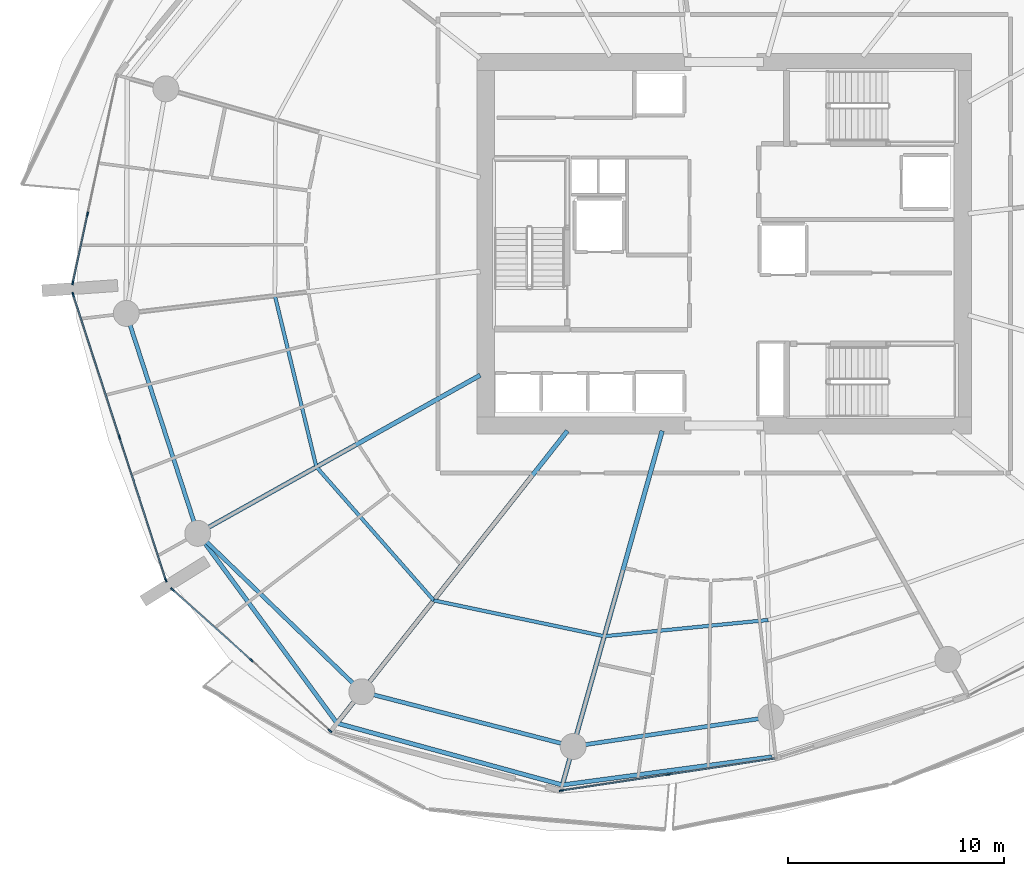
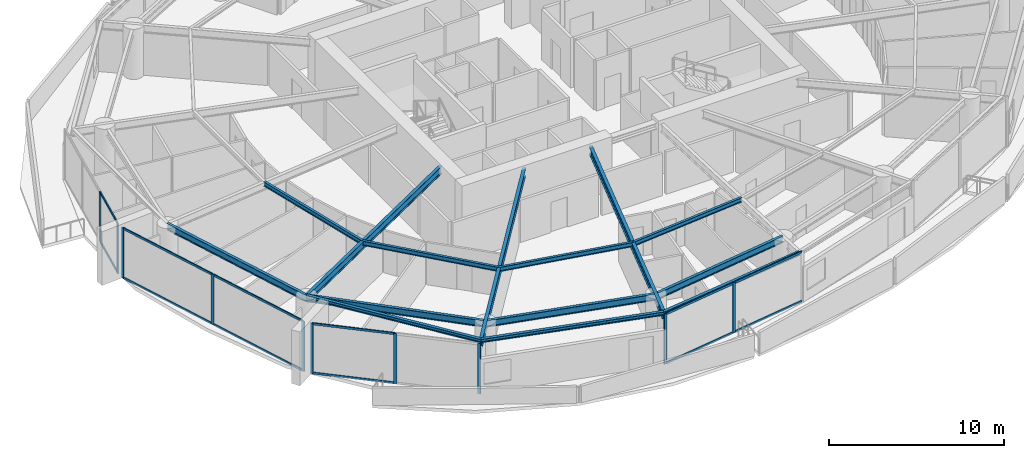
# One storey, part 5 of 23: 22 members, 14 beams, 4 elements without a shape of their own.
"""IFC4 building model written with IfcOpenShell, lengths in metres."""

from ifc_helpers import new_model, si_unit, direction, frame, origin, origin_2d, place, context, subcontext, project, spatial, rectangle, i_section, extrude, material, layer, layer_set, material_profile, profile_set, type_object, element, aggregate, save


model = new_model("IFC4")

# Units and contexts
model_context = context("Model", 3, precision=1e-05, world=origin(), true_north=direction((0.0, 1.0)))
body_context = subcontext(model_context, "Body", "Model", "MODEL_VIEW")
ifc_project = project(units=[si_unit("LENGTHUNIT", "METRE"), si_unit("AREAUNIT", "SQUARE_METRE"), si_unit("VOLUMEUNIT", "CUBIC_METRE"), si_unit("PLANEANGLEUNIT", "RADIAN"), si_unit("MASSUNIT", "GRAM", prefix="KILO")], contexts=[model_context])

# Site, building, storey
site_placement = place(None, origin())
site = spatial("IfcSite", under=ifc_project, at=site_placement, CompositionType="ELEMENT")
building_placement = place(site_placement, origin())
building = spatial("IfcBuilding", under=site, at=building_placement, Name="Kazma Halo Residences", CompositionType="ELEMENT")
storey_placement = place(building_placement, frame((0.0, 0.0, 101.39990234375)))
storey = spatial("IfcBuildingStorey", under=building, at=storey_placement, Name="L25", CompositionType="ELEMENT", Elevation=101.39990234375)

# Beams
ifc_material_1 = material(Name="Steel S355", Category="steel")
ifc_material_profile_1 = material_profile(ifc_material_1, i_section(OverallWidth=0.201904296875, OverallDepth=0.2470703125, WebThickness=0.00732421875, FlangeThickness=0.010986328125, FilletRadius=0.011962890625, at=origin_2d()), Name="W250x49.1")
ifc_profile_set_1 = profile_set([ifc_material_profile_1], Name="Steel S355")
beam_type_1 = type_object("IfcBeamType", Name="BM-BAL-CANT", PredefinedType="BEAM", material=ifc_profile_set_1)
beam_1_placement = place(storey_placement, frame((24.0966796875, 28.613525390625, 3.376708984375), z_axis=(0.59144927253, -0.806342209005, 0.0), x_axis=(0.806342209005, 0.59144927253, 0.0)))
element("IfcBeam", 1, at=beam_1_placement, inside=storey, type_object=beam_type_1, Name="L25 wave-balcony lead tie beam 09", PredefinedType="BEAM", context=body_context, shape_type="SweptSolid", body=[
    extrude(i_section(OverallWidth=0.201904296875, OverallDepth=0.2470703125, WebThickness=0.00732421875, FlangeThickness=0.010986328125, FilletRadius=0.011962890625, at=origin_2d()), origin(), (0.0, 0.0, 1.0), 10.87939453125),
])
beam_2_placement = place(storey_placement, frame((30.53125, 19.841064453125, 3.376708984375), z_axis=(0.964396617, -0.264460139, 0.0), x_axis=(0.264460139, 0.964396617, 0.0)))
element("IfcBeam", 2, at=beam_2_placement, inside=storey, type_object=beam_type_1, Name="L25 wave-balcony tie beam 10", PredefinedType="BEAM", context=body_context, shape_type="SweptSolid", body=[
    extrude(i_section(OverallWidth=0.201904296875, OverallDepth=0.2470703125, WebThickness=0.00732421875, FlangeThickness=0.010986328125, FilletRadius=0.011962890625, at=origin_2d()), origin(), (0.0, 0.0, 1.0), 10.79833984375),
])
beam_3_placement = place(storey_placement, frame((40.945068359375, 16.9853515625, 3.376708984375), z_axis=(0.991182511795, 0.13250369169, 0.0), x_axis=(-0.13250369169, 0.991182511795, 0.0)))
element("IfcBeam", 3, at=beam_3_placement, inside=storey, type_object=beam_type_1, Name="L25 wave-balcony tie beam 11", PredefinedType="BEAM", context=body_context, shape_type="SweptSolid", body=[
    extrude(i_section(OverallWidth=0.201904296875, OverallDepth=0.2470703125, WebThickness=0.00732421875, FlangeThickness=0.010986328125, FilletRadius=0.011962890625, at=origin_2d()), origin(), (0.0, 0.0, 1.0), 9.78369140625),
])
ifc_material_profile_2 = material_profile(ifc_material_1, i_section(OverallWidth=0.208984375, OverallDepth=0.532958984375, WebThickness=0.01025390625, FlangeThickness=0.015625, FilletRadius=0.01611328125, at=origin_2d()), Name="W530x92")
ifc_profile_set_2 = profile_set([ifc_material_profile_2], Name="Steel S355")
beam_type_2 = type_object("IfcBeamType", Name="BM-RAD-W530", PredefinedType="BEAM", material=ifc_profile_set_2)
beam_4_placement = place(storey_placement, frame((37.14990234375, 35.923583984375, 3.233642578125), z_axis=(-0.87249878074, -0.488616288724, 0.0), x_axis=(0.488616288724, -0.87249878074, 0.0)))
element("IfcBeam", 4, at=beam_4_placement, inside=storey, type_object=beam_type_2, Name="L25 radial floor beam 09", PredefinedType="BEAM", context=body_context, shape_type="SweptSolid", body=[
    extrude(i_section(OverallWidth=0.208984375, OverallDepth=0.532958984375, WebThickness=0.01025390625, FlangeThickness=0.015625, FilletRadius=0.01611328125, at=origin_2d()), origin(), (0.0, 0.0, 1.0), 14.960693359375),
])
beam_5_placement = place(storey_placement, frame((41.180908203125, 33.35009765625, 3.233642578125), z_axis=(-0.619093774822, -0.785317068436, 0.0), x_axis=(0.785317068436, -0.619093774822, 0.0)))
element("IfcBeam", 5, at=beam_5_placement, inside=storey, type_object=beam_type_2, Name="L25 radial floor beam 10", PredefinedType="BEAM", context=body_context, shape_type="SweptSolid", body=[
    extrude(i_section(OverallWidth=0.208984375, OverallDepth=0.532958984375, WebThickness=0.01025390625, FlangeThickness=0.015625, FilletRadius=0.01611328125, at=origin_2d()), origin(), (0.0, 0.0, 1.0), 17.201904296875),
])
beam_6_placement = place(storey_placement, frame((45.560302734375, 33.35009765625, 3.233642578125), z_axis=(-0.271434928076, -0.962456793742, 0.0), x_axis=(0.962456793742, -0.271434928076, 0.0)))
element("IfcBeam", 6, at=beam_6_placement, inside=storey, type_object=beam_type_2, Name="L25 radial floor beam 11", PredefinedType="BEAM", context=body_context, shape_type="SweptSolid", body=[
    extrude(i_section(OverallWidth=0.208984375, OverallDepth=0.532958984375, WebThickness=0.01025390625, FlangeThickness=0.015625, FilletRadius=0.01611328125, at=origin_2d()), origin(), (0.0, 0.0, 1.0), 17.003173828125),
])
ifc_material_profile_3 = material_profile(ifc_material_1, i_section(OverallWidth=0.1650390625, OverallDepth=0.31005859375, WebThickness=0.005859375, FlangeThickness=0.009765625, FilletRadius=0.011962890625, at=origin_2d()), Name="W310x38.7")
ifc_profile_set_3 = profile_set([ifc_material_profile_3], Name="Steel S355")
beam_type_3 = type_object("IfcBeamType", Name="BM-SEC-W310B", PredefinedType="JOIST", material=ifc_profile_set_3)
beam_7_placement = place(storey_placement, frame((27.6630859375, 39.593017578125, 3.34521484375), z_axis=(0.235442033286, -0.971888393264, 0.0), x_axis=(0.971888393264, 0.235442033286, 0.0)))
element("IfcBeam", 7, at=beam_7_placement, inside=storey, type_object=beam_type_3, Name="L25 circumferential floor joist 08", PredefinedType="JOIST", context=body_context, shape_type="SweptSolid", body=[
    extrude(i_section(OverallWidth=0.1650390625, OverallDepth=0.31005859375, WebThickness=0.005859375, FlangeThickness=0.009765625, FilletRadius=0.011962890625, at=origin_2d()), origin(), (0.0, 0.0, 1.0), 8.137939453125),
])
beam_8_placement = place(storey_placement, frame((29.5791015625, 31.683837890625, 3.34521484375), z_axis=(0.660379309564, -0.750932199003, 0.0), x_axis=(0.750932199003, 0.660379309564, 0.0)))
element("IfcBeam", 8, at=beam_8_placement, inside=storey, type_object=beam_type_3, Name="L25 circumferential floor joist 09", PredefinedType="JOIST", context=body_context, shape_type="SweptSolid", body=[
    extrude(i_section(OverallWidth=0.1650390625, OverallDepth=0.31005859375, WebThickness=0.005859375, FlangeThickness=0.009765625, FilletRadius=0.011962890625, at=origin_2d()), origin(), (0.0, 0.0, 1.0), 8.215087890625),
])
beam_9_placement = place(storey_placement, frame((35.004150390625, 25.514892578125, 3.34521484375), z_axis=(0.978607976751, -0.205733876255, 0.0), x_axis=(0.205733876255, 0.978607976751, 0.0)))
element("IfcBeam", 9, at=beam_9_placement, inside=storey, type_object=beam_type_3, Name="L25 circumferential floor joist 10", PredefinedType="JOIST", context=body_context, shape_type="SweptSolid", body=[
    extrude(i_section(OverallWidth=0.1650390625, OverallDepth=0.31005859375, WebThickness=0.005859375, FlangeThickness=0.009765625, FilletRadius=0.011962890625, at=origin_2d()), origin(), (0.0, 0.0, 1.0), 8.051513671875),
])
beam_10_placement = place(storey_placement, frame((42.883544921875, 23.8583984375, 3.34521484375), z_axis=(0.995106821048, 0.098804932586, 0.0), x_axis=(-0.098804932586, 0.995106821048, 0.0)))
element("IfcBeam", 10, at=beam_10_placement, inside=storey, type_object=beam_type_3, Name="L25 circumferential floor joist 11", PredefinedType="JOIST", context=body_context, shape_type="SweptSolid", body=[
    extrude(i_section(OverallWidth=0.1650390625, OverallDepth=0.31005859375, WebThickness=0.005859375, FlangeThickness=0.009765625, FilletRadius=0.011962890625, at=origin_2d()), origin(), (0.0, 0.0, 1.0), 7.610595703125),
])
ifc_material_profile_4 = material_profile(ifc_material_1, i_section(OverallWidth=0.18994140625, OverallDepth=0.45703125, WebThickness=0.009033203125, FlangeThickness=0.014404296875, FilletRadius=0.01611328125, at=origin_2d()), Name="W460x74")
ifc_profile_set_4 = profile_set([ifc_material_profile_4], Name="Steel S355")
beam_type_4 = type_object("IfcBeamType", Name="BM-SPN-W460", PredefinedType="BEAM", material=ifc_profile_set_4)
beam_11_placement = place(storey_placement, frame((20.79345703125, 38.77978515625, 3.271484375), z_axis=(0.309017385422, -0.951056389236, 0.0), x_axis=(0.951056389236, 0.309017385422, 0.0)))
element("IfcBeam", 11, at=beam_11_placement, inside=storey, type_object=beam_type_4, Name="L25 perimeter ring beam 08", PredefinedType="BEAM", context=body_context, shape_type="SweptSolid", body=[
    extrude(i_section(OverallWidth=0.18994140625, OverallDepth=0.45703125, WebThickness=0.009033203125, FlangeThickness=0.014404296875, FilletRadius=0.01611328125, at=origin_2d()), origin(), (0.0, 0.0, 1.0), 10.689453125),
])
beam_12_placement = place(storey_placement, frame((24.0966796875, 28.613525390625, 3.271484375), z_axis=(0.719336783114, -0.694661494873, 0.0), x_axis=(0.694661494873, 0.719336783114, 0.0)))
element("IfcBeam", 12, at=beam_12_placement, inside=storey, type_object=beam_type_4, Name="L25 perimeter ring beam 09", PredefinedType="BEAM", context=body_context, shape_type="SweptSolid", body=[
    extrude(i_section(OverallWidth=0.18994140625, OverallDepth=0.45703125, WebThickness=0.009033203125, FlangeThickness=0.014404296875, FilletRadius=0.01611328125, at=origin_2d()), origin(), (0.0, 0.0, 1.0), 10.537353515625),
])
beam_13_placement = place(storey_placement, frame((31.676513671875, 21.293701171875, 3.271484375), z_axis=(0.968124968683, -0.250467652626, 0.0), x_axis=(0.250467652626, 0.968124968683, 0.0)))
element("IfcBeam", 13, at=beam_13_placement, inside=storey, type_object=beam_type_4, Name="L25 perimeter ring beam 10", PredefinedType="BEAM", context=body_context, shape_type="SweptSolid", body=[
    extrude(i_section(OverallWidth=0.18994140625, OverallDepth=0.45703125, WebThickness=0.009033203125, FlangeThickness=0.014404296875, FilletRadius=0.01611328125, at=origin_2d()), origin(), (0.0, 0.0, 1.0), 10.092529296875),
])
beam_14_placement = place(storey_placement, frame((41.447265625, 18.765869140625, 3.271484375), z_axis=(0.989034176303, 0.147686824414, 0.0), x_axis=(-0.147686824414, 0.989034176303, 0.0)))
element("IfcBeam", 14, at=beam_14_placement, inside=storey, type_object=beam_type_4, Name="L25 perimeter ring beam 11", PredefinedType="BEAM", context=body_context, shape_type="SweptSolid", body=[
    extrude(i_section(OverallWidth=0.18994140625, OverallDepth=0.45703125, WebThickness=0.009033203125, FlangeThickness=0.014404296875, FilletRadius=0.01611328125, at=origin_2d()), origin(), (0.0, 0.0, 1.0), 9.242431640625),
])

# Curtain wall, members
ifc_material_2 = material(Name="Aluminium AW-6063 T6 and Triple-Silver Low-E Glass", Category="aluminium")
ifc_layer = layer(ifc_material_2, 0.199951171875)
ifc_layer_set = layer_set([ifc_layer], Name="Aluminium AW-6063 T6 and Triple-Silver Low-E Glass")
curtain_wall_type = type_object("IfcCurtainWallType", Name="CW-SYS-3", PredefinedType="NOTDEFINED", material=ifc_layer_set)
curtain_wall_1_placement = place(storey_placement, origin())
curtain_wall_1 = element("IfcCurtainWall", 15, at=curtain_wall_1_placement, inside=storey, type_object=curtain_wall_type, Name="L25 unitised curtain wall B07", PredefinedType="NOTDEFINED")
ifc_material_3 = material(Name="Aluminium AW-6063 T6", Category="aluminium")
ifc_material_profile_5 = material_profile(ifc_material_3, rectangle(XDim=0.070068359375, YDim=0.199951171875, at=origin_2d()), Name="CWM-70x200")
ifc_profile_set_5 = profile_set([ifc_material_profile_5], Name="Aluminium AW-6063 T6")
member_type_1 = type_object("IfcMemberType", Name="CW-SYS-3-MUL", PredefinedType="MULLION", material=ifc_profile_set_5)
member_1_placement = place(storey_placement, frame((19.004638671875, 43.36865234375, 0.0), z_axis=(0.0, 0.0, 1.0), x_axis=(0.977774176093, -0.209660822677, 0.0)))
member_1 = element("IfcMember", 16, at=member_1_placement, type_object=member_type_1, Name="CWS-3 mullion 3", PredefinedType="MULLION", context=body_context, shape_type="SweptSolid", body=[
    extrude(rectangle(XDim=0.070068359375, YDim=0.199951171875, at=origin_2d()), origin(), (0.0, 0.0, 1.0), 3.5),
])
member_2_placement = place(storey_placement, frame((18.323486328125, 40.192626953125, 0.0), z_axis=(0.0, 0.0, 1.0), x_axis=(0.977774176093, -0.209660822677, 0.0)))
member_2 = element("IfcMember", 17, at=member_2_placement, type_object=member_type_1, Name="CWS-3 mullion 4", PredefinedType="MULLION", context=body_context, shape_type="SweptSolid", body=[
    extrude(rectangle(XDim=0.070068359375, YDim=0.199951171875, at=origin_2d()), origin(), (0.0, 0.0, 1.0), 3.5),
])

curtain_wall_2_placement = place(storey_placement, origin())
curtain_wall_2 = element("IfcCurtainWall", 18, at=curtain_wall_2_placement, inside=storey, type_object=curtain_wall_type, Name="L25 unitised curtain wall B08", PredefinedType="NOTDEFINED")
member_3_placement = place(storey_placement, frame((18.334716796875, 39.6572265625, 0.0), z_axis=(0.0, 0.0, 1.0), x_axis=(0.951057722508, 0.309013282008, 0.0)))
member_3 = element("IfcMember", 19, at=member_3_placement, type_object=member_type_1, Name="CWS-3 mullion 1", PredefinedType="MULLION", context=body_context, shape_type="SweptSolid", body=[
    extrude(rectangle(XDim=0.070068359375, YDim=0.199951171875, at=origin_2d()), origin(), (0.0, 0.0, 1.0), 3.5),
])
member_4_placement = place(storey_placement, frame((20.47900390625, 33.057861328125, 0.0), z_axis=(0.0, 0.0, 1.0), x_axis=(0.951057722508, 0.309013282008, 0.0)))
member_4 = element("IfcMember", 20, at=member_4_placement, type_object=member_type_1, Name="CWS-3 mullion 2", PredefinedType="MULLION", context=body_context, shape_type="SweptSolid", body=[
    extrude(rectangle(XDim=0.070068359375, YDim=0.199951171875, at=origin_2d()), origin(), (0.0, 0.0, 1.0), 3.5),
])
member_5_placement = place(storey_placement, frame((22.623291015625, 26.45849609375, 0.0), z_axis=(0.0, 0.0, 1.0), x_axis=(0.951057722508, 0.309013282008, 0.0)))
member_5 = element("IfcMember", 21, at=member_5_placement, type_object=member_type_1, Name="CWS-3 mullion 3", PredefinedType="MULLION", context=body_context, shape_type="SweptSolid", body=[
    extrude(rectangle(XDim=0.070068359375, YDim=0.199951171875, at=origin_2d()), origin(), (0.0, 0.0, 1.0), 3.5),
])

curtain_wall_3_placement = place(storey_placement, origin())
curtain_wall_3 = element("IfcCurtainWall", 22, at=curtain_wall_3_placement, inside=storey, type_object=curtain_wall_type, Name="L25 unitised curtain wall B09", PredefinedType="NOTDEFINED")
member_6_placement = place(storey_placement, frame((22.928955078125, 26.018798828125, 0.0), z_axis=(0.0, 0.0, 1.0), x_axis=(0.667794957375, 0.744345279359, 0.0)))
member_6 = element("IfcMember", 23, at=member_6_placement, type_object=member_type_1, Name="CWS-3 mullion 1", PredefinedType="MULLION", context=body_context, shape_type="SweptSolid", body=[
    extrude(rectangle(XDim=0.070068359375, YDim=0.199951171875, at=origin_2d()), origin(), (0.0, 0.0, 1.0), 3.5),
])
member_7_placement = place(storey_placement, frame((26.568603515625, 22.75341796875, 0.0), z_axis=(0.0, 0.0, 1.0), x_axis=(0.667794957375, 0.744345279359, 0.0)))
member_7 = element("IfcMember", 24, at=member_7_placement, type_object=member_type_1, Name="CWS-3 mullion 2", PredefinedType="MULLION", context=body_context, shape_type="SweptSolid", body=[
    extrude(rectangle(XDim=0.070068359375, YDim=0.199951171875, at=origin_2d()), origin(), (0.0, 0.0, 1.0), 3.5),
])
member_8_placement = place(storey_placement, frame((30.208251953125, 19.48779296875, 0.0), z_axis=(0.0, 0.0, 1.0), x_axis=(0.667794957375, 0.744345279359, 0.0)))
member_8 = element("IfcMember", 25, at=member_8_placement, type_object=member_type_1, Name="CWS-3 mullion 3", PredefinedType="MULLION", context=body_context, shape_type="SweptSolid", body=[
    extrude(rectangle(XDim=0.070068359375, YDim=0.199951171875, at=origin_2d()), origin(), (0.0, 0.0, 1.0), 3.5),
])

curtain_wall_4_placement = place(storey_placement, origin())
curtain_wall_4 = element("IfcCurtainWall", 26, at=curtain_wall_4_placement, inside=storey, type_object=curtain_wall_type, Name="L25 unitised curtain wall B11", PredefinedType="NOTDEFINED")
member_9_placement = place(storey_placement, frame((40.90576171875, 16.728271484375, 0.0), z_axis=(0.0, 0.0, 1.0), x_axis=(-0.148717330409, 0.988879747814, 0.0)))
member_9 = element("IfcMember", 27, at=member_9_placement, type_object=member_type_1, Name="CWS-3 mullion 1", PredefinedType="MULLION", context=body_context, shape_type="SweptSolid", body=[
    extrude(rectangle(XDim=0.070068359375, YDim=0.199951171875, at=origin_2d()), origin(), (0.0, 0.0, 1.0), 3.5),
])
member_10_placement = place(storey_placement, frame((45.843017578125, 17.470703125, 0.0), z_axis=(0.0, 0.0, 1.0), x_axis=(-0.148717330409, 0.988879747814, 0.0)))
member_10 = element("IfcMember", 28, at=member_10_placement, type_object=member_type_1, Name="CWS-3 mullion 2", PredefinedType="MULLION", context=body_context, shape_type="SweptSolid", body=[
    extrude(rectangle(XDim=0.070068359375, YDim=0.199951171875, at=origin_2d()), origin(), (0.0, 0.0, 1.0), 3.5),
])

# Member
ifc_material_profile_6 = material_profile(ifc_material_3, rectangle(XDim=0.070068359375, YDim=0.14990234375, at=origin_2d()), Name="CWT-70x150")
ifc_profile_set_6 = profile_set([ifc_material_profile_6], Name="Aluminium AW-6063 T6")
member_type_2 = type_object("IfcMemberType", Name="CW-SYS-3-TRN", PredefinedType="USERDEFINED", material=ifc_profile_set_6)
member_11_placement = place(storey_placement, frame((18.997314453125, 43.33447265625, 0.03515625), z_axis=(-0.209717949017, -0.977761924939, 0.0), x_axis=(0.977761924939, -0.209717949017, 0.0)))
member_11 = element("IfcMember", 29, at=member_11_placement, type_object=member_type_2, Name="CWS-3 transom 3.1", ObjectType="TRANSOM", PredefinedType="USERDEFINED", context=body_context, shape_type="SweptSolid", body=[
    extrude(rectangle(XDim=0.070068359375, YDim=0.14990234375, at=origin_2d()), origin(), (0.0, 0.0, 1.0), 3.177978515625),
])

member_12_placement = place(storey_placement, frame((18.997314453125, 43.33447265625, 3.465087890625), z_axis=(-0.209717949017, -0.977761924939, 0.0), x_axis=(0.977761924939, -0.209717949017, 0.0)))
member_12 = element("IfcMember", 30, at=member_12_placement, type_object=member_type_2, Name="CWS-3 transom 3.2", ObjectType="TRANSOM", PredefinedType="USERDEFINED", context=body_context, shape_type="SweptSolid", body=[
    extrude(rectangle(XDim=0.070068359375, YDim=0.14990234375, at=origin_2d()), origin(), (0.0, 0.0, 1.0), 3.177978515625),
])

aggregate(curtain_wall_1, [member_1, member_2, member_11, member_12])

member_13_placement = place(storey_placement, frame((18.345458984375, 39.6240234375, 0.03515625), z_axis=(0.309000079699, -0.95106201204, 0.0), x_axis=(0.95106201204, 0.309000079699, 0.0)))
member_13 = element("IfcMember", 31, at=member_13_placement, type_object=member_type_2, Name="CWS-3 transom 1.1", ObjectType="TRANSOM", PredefinedType="USERDEFINED", context=body_context, shape_type="SweptSolid", body=[
    extrude(rectangle(XDim=0.070068359375, YDim=0.14990234375, at=origin_2d()), origin(), (0.0, 0.0, 1.0), 6.869140625),
])

member_14_placement = place(storey_placement, frame((18.345458984375, 39.6240234375, 3.465087890625), z_axis=(0.309000079699, -0.95106201204, 0.0), x_axis=(0.95106201204, 0.309000079699, 0.0)))
member_14 = element("IfcMember", 32, at=member_14_placement, type_object=member_type_2, Name="CWS-3 transom 1.2", ObjectType="TRANSOM", PredefinedType="USERDEFINED", context=body_context, shape_type="SweptSolid", body=[
    extrude(rectangle(XDim=0.070068359375, YDim=0.14990234375, at=origin_2d()), origin(), (0.0, 0.0, 1.0), 6.869140625),
])

member_15_placement = place(storey_placement, frame((20.48974609375, 33.024658203125, 0.03515625), z_axis=(0.309000079699, -0.95106201204, 0.0), x_axis=(0.95106201204, 0.309000079699, 0.0)))
member_15 = element("IfcMember", 33, at=member_15_placement, type_object=member_type_2, Name="CWS-3 transom 2.1", ObjectType="TRANSOM", PredefinedType="USERDEFINED", context=body_context, shape_type="SweptSolid", body=[
    extrude(rectangle(XDim=0.070068359375, YDim=0.14990234375, at=origin_2d()), origin(), (0.0, 0.0, 1.0), 6.869140625),
])

member_16_placement = place(storey_placement, frame((20.48974609375, 33.024658203125, 3.465087890625), z_axis=(0.309000079699, -0.95106201204, 0.0), x_axis=(0.95106201204, 0.309000079699, 0.0)))
member_16 = element("IfcMember", 34, at=member_16_placement, type_object=member_type_2, Name="CWS-3 transom 2.2", ObjectType="TRANSOM", PredefinedType="USERDEFINED", context=body_context, shape_type="SweptSolid", body=[
    extrude(rectangle(XDim=0.070068359375, YDim=0.14990234375, at=origin_2d()), origin(), (0.0, 0.0, 1.0), 6.869140625),
])

aggregate(curtain_wall_2, [member_3, member_4, member_5, member_13, member_14, member_15, member_16])

member_17_placement = place(storey_placement, frame((22.954833984375, 25.995361328125, 0.03515625), z_axis=(0.744338471453, -0.667802545603, 0.0), x_axis=(0.667802545603, 0.744338471453, 0.0)))
member_17 = element("IfcMember", 35, at=member_17_placement, type_object=member_type_2, Name="CWS-3 transom 1.1", ObjectType="TRANSOM", PredefinedType="USERDEFINED", context=body_context, shape_type="SweptSolid", body=[
    extrude(rectangle(XDim=0.070068359375, YDim=0.14990234375, at=origin_2d()), origin(), (0.0, 0.0, 1.0), 4.81982421875),
])

member_18_placement = place(storey_placement, frame((22.954833984375, 25.995361328125, 3.465087890625), z_axis=(0.744338471453, -0.667802545603, 0.0), x_axis=(0.667802545603, 0.744338471453, 0.0)))
member_18 = element("IfcMember", 36, at=member_18_placement, type_object=member_type_2, Name="CWS-3 transom 1.2", ObjectType="TRANSOM", PredefinedType="USERDEFINED", context=body_context, shape_type="SweptSolid", body=[
    extrude(rectangle(XDim=0.070068359375, YDim=0.14990234375, at=origin_2d()), origin(), (0.0, 0.0, 1.0), 4.81982421875),
])

aggregate(curtain_wall_3, [member_6, member_7, member_8, member_17, member_18])

member_19_placement = place(storey_placement, frame((40.9404296875, 16.7333984375, 0.03515625), z_axis=(0.988876977991, 0.148735746878, 0.0), x_axis=(-0.148735746878, 0.988876977991, 0.0)))
member_19 = element("IfcMember", 37, at=member_19_placement, type_object=member_type_2, Name="CWS-3 transom 1.1", ObjectType="TRANSOM", PredefinedType="USERDEFINED", context=body_context, shape_type="SweptSolid", body=[
    extrude(rectangle(XDim=0.070068359375, YDim=0.14990234375, at=origin_2d()), origin(), (0.0, 0.0, 1.0), 4.922607421875),
])

member_20_placement = place(storey_placement, frame((40.9404296875, 16.7333984375, 3.465087890625), z_axis=(0.988876977991, 0.148735746878, 0.0), x_axis=(-0.148735746878, 0.988876977991, 0.0)))
member_20 = element("IfcMember", 38, at=member_20_placement, type_object=member_type_2, Name="CWS-3 transom 1.2", ObjectType="TRANSOM", PredefinedType="USERDEFINED", context=body_context, shape_type="SweptSolid", body=[
    extrude(rectangle(XDim=0.070068359375, YDim=0.14990234375, at=origin_2d()), origin(), (0.0, 0.0, 1.0), 4.922607421875),
])

member_21_placement = place(storey_placement, frame((45.87744140625, 17.47607421875, 0.03515625), z_axis=(0.988884271372, 0.148687248386, 0.0), x_axis=(-0.148687248386, 0.988884271372, 0.0)))
member_21 = element("IfcMember", 39, at=member_21_placement, type_object=member_type_2, Name="CWS-3 transom 2.1", ObjectType="TRANSOM", PredefinedType="USERDEFINED", context=body_context, shape_type="SweptSolid", body=[
    extrude(rectangle(XDim=0.070068359375, YDim=0.14990234375, at=origin_2d()), origin(), (0.0, 0.0, 1.0), 4.922607421875),
])

member_22_placement = place(storey_placement, frame((45.87744140625, 17.47607421875, 3.465087890625), z_axis=(0.988884271372, 0.148687248386, 0.0), x_axis=(-0.148687248386, 0.988884271372, 0.0)))
member_22 = element("IfcMember", 40, at=member_22_placement, type_object=member_type_2, Name="CWS-3 transom 2.2", ObjectType="TRANSOM", PredefinedType="USERDEFINED", context=body_context, shape_type="SweptSolid", body=[
    extrude(rectangle(XDim=0.070068359375, YDim=0.14990234375, at=origin_2d()), origin(), (0.0, 0.0, 1.0), 4.922607421875),
])

aggregate(curtain_wall_4, [member_9, member_10, member_19, member_20, member_21, member_22])

save(model, "model.ifc")
